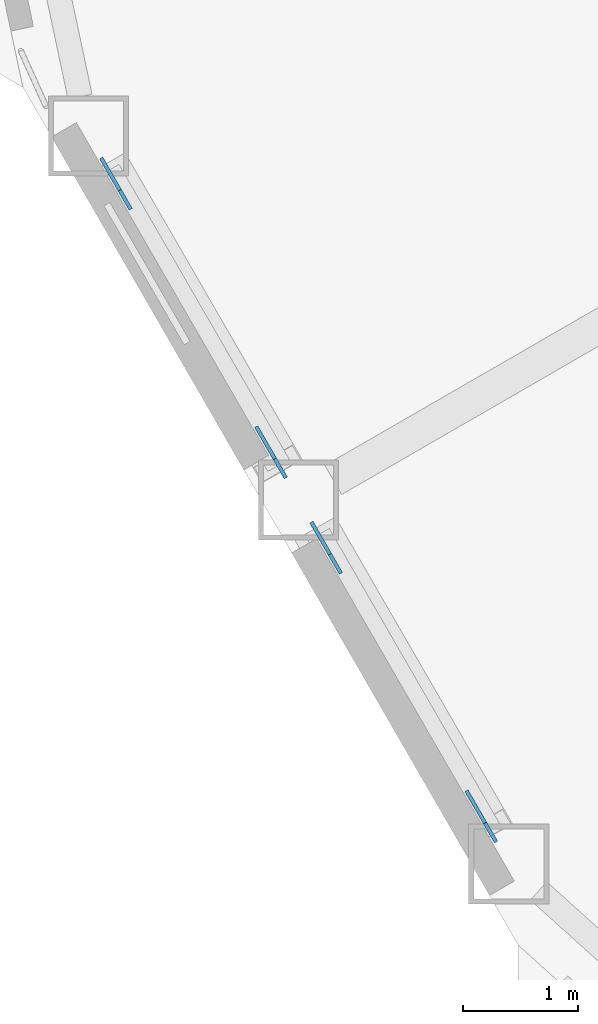
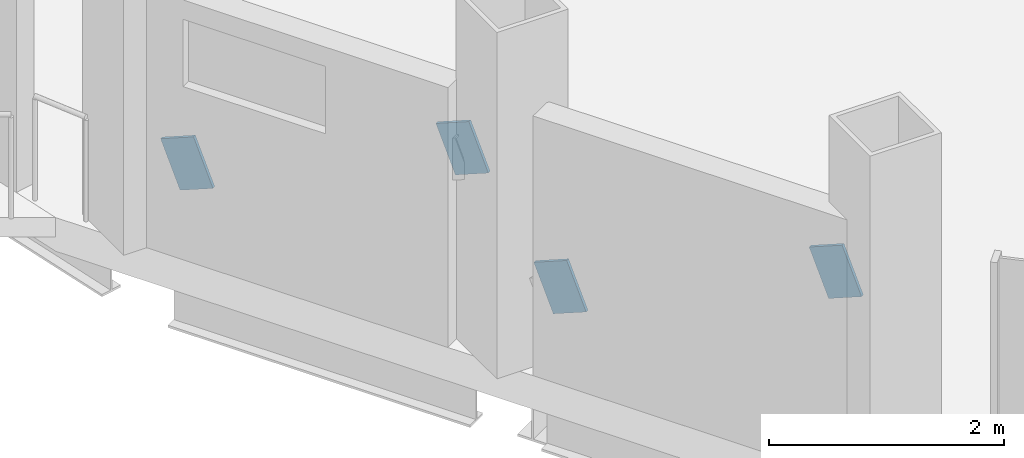
# One storey, part 16 of 24: 4 discrete accessories.
"""IFC4 building model written with IfcOpenShell, lengths in metres."""

from ifc_helpers import new_model, si_unit, direction, frame, origin, origin_2d, place, context, subcontext, project, spatial, rectangle, extrude, material, material_profile, profile_set, type_object, element, save


model = new_model("IFC4")

# Units and contexts
model_context = context("Model", 3, precision=1e-05, world=origin(), true_north=direction((0.0, 1.0)))
body_context = subcontext(model_context, "Body", "Model", "MODEL_VIEW")
ifc_project = project(units=[si_unit("LENGTHUNIT", "METRE"), si_unit("AREAUNIT", "SQUARE_METRE"), si_unit("VOLUMEUNIT", "CUBIC_METRE"), si_unit("PLANEANGLEUNIT", "RADIAN"), si_unit("MASSUNIT", "GRAM", prefix="KILO")], contexts=[model_context])

# Site, building, storey
site_placement = place(None, origin())
site = spatial("IfcSite", under=ifc_project, at=site_placement, CompositionType="ELEMENT")
building_placement = place(site_placement, origin())
building = spatial("IfcBuilding", under=site, at=building_placement, Name="Cormorant Prow Tower", CompositionType="ELEMENT")
storey_placement = place(building_placement, frame((0.0, 0.0, 238.199951171875)))
storey = spatial("IfcBuildingStorey", under=building, at=storey_placement, Name="L52", CompositionType="ELEMENT", Elevation=238.199951171875)

# Discrete accessories
ifc_material = material(Name="Structural steel ASTM A500 Gr C", Category="steel")
ifc_material_profile = material_profile(ifc_material, rectangle(XDim=0.031982421875, YDim=0.506103515625, at=origin_2d()), Name="Gusset plate 32x506")
ifc_profile_set = profile_set([ifc_material_profile], Name="Structural steel ASTM A500 Gr C")
discrete_accessory_type = type_object("IfcDiscreteAccessoryType", Name="Gusset plate 32x506", PredefinedType="BRACKET", material=ifc_profile_set)
discrete_accessory_1_placement = place(storey_placement, frame((-29.2900390625, -13.4150390625, 0.863037109375), z_axis=(-0.46266066689, 0.801805590131, -0.37822335061), x_axis=(-0.866147934042, -0.499787711288, 0.0)))
element("IfcDiscreteAccessory", 1, at=discrete_accessory_1_placement, inside=storey, type_object=discrete_accessory_type, Name="Gusset plate GP2 L52.WSW00.g0", PredefinedType="BRACKET", context=body_context, shape_type="SweptSolid", body=[
    extrude(rectangle(XDim=0.031982421875, YDim=0.506103515625, at=origin_2d()), origin(), (0.0, 0.0, 1.0), 0.349853515625),
])
discrete_accessory_2_placement = place(storey_placement, frame((-28.09814453125, -15.4794921875, 1.837890625), z_axis=(0.462827914709, -0.801584490837, 0.378487285673), x_axis=(0.866010015463, 0.500026652407, 0.0)))
element("IfcDiscreteAccessory", 2, at=discrete_accessory_2_placement, inside=storey, type_object=discrete_accessory_type, Name="Gusset plate GP2 L52.WSW00.g1", PredefinedType="BRACKET", context=body_context, shape_type="SweptSolid", body=[
    extrude(rectangle(XDim=0.031982421875, YDim=0.506103515625, at=origin_2d()), origin(), (0.0, 0.0, 1.0), 0.350341796875),
])
discrete_accessory_3_placement = place(storey_placement, frame((-27.454833984375, -16.59375, 0.863037109375), z_axis=(-0.46266066689, 0.801805590131, -0.37822335061), x_axis=(-0.866147934042, -0.499787711288, 0.0)))
element("IfcDiscreteAccessory", 3, at=discrete_accessory_3_placement, inside=storey, type_object=discrete_accessory_type, Name="Gusset plate GP2 L52.WSW01.g0", PredefinedType="BRACKET", context=body_context, shape_type="SweptSolid", body=[
    extrude(rectangle(XDim=0.031982421875, YDim=0.506103515625, at=origin_2d()), origin(), (0.0, 0.0, 1.0), 0.349853515625),
])
discrete_accessory_4_placement = place(storey_placement, frame((-26.262939453125, -18.658203125, 1.837890625), z_axis=(0.462827914709, -0.801584490837, 0.378487285673), x_axis=(0.866010015463, 0.500026652407, 0.0)))
element("IfcDiscreteAccessory", 4, at=discrete_accessory_4_placement, inside=storey, type_object=discrete_accessory_type, Name="Gusset plate GP2 L52.WSW01.g1", PredefinedType="BRACKET", context=body_context, shape_type="SweptSolid", body=[
    extrude(rectangle(XDim=0.031982421875, YDim=0.506103515625, at=origin_2d()), origin(), (0.0, 0.0, 1.0), 0.350341796875),
])

save(model, "model.ifc")
